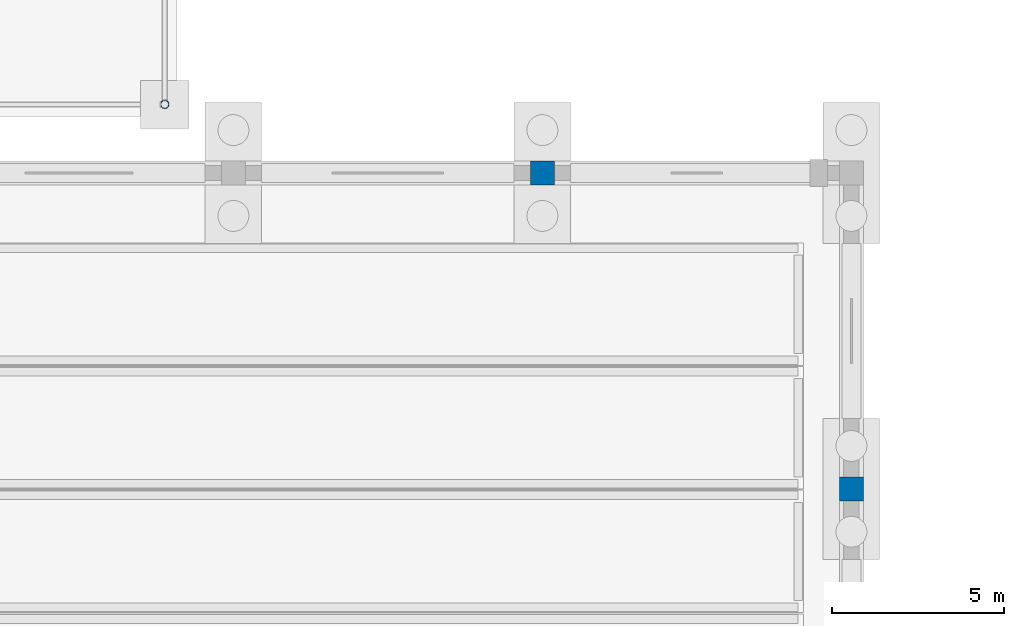
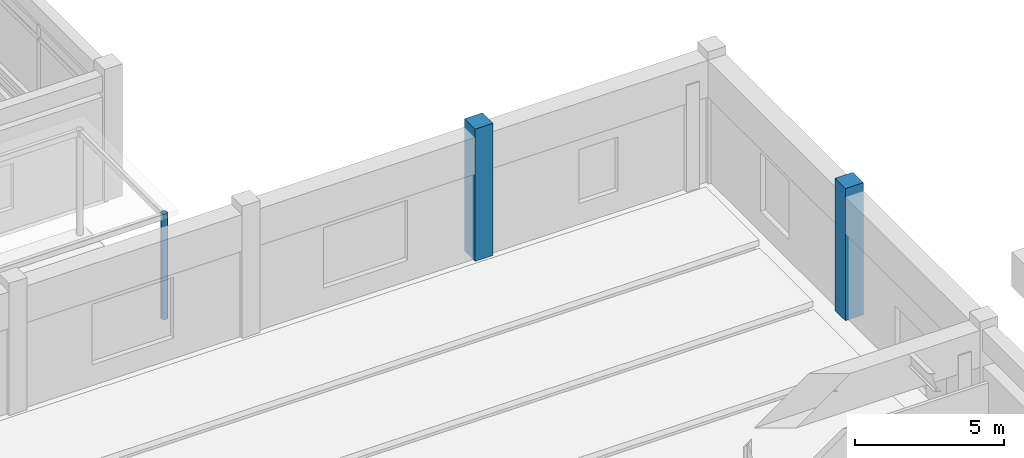
# One storey, part 9 of 76: 3 columns.
"""IFC4 building model written with IfcOpenShell, lengths in metres."""

from ifc_helpers import new_model, si_unit, direction, frame, origin, origin_2d, place, context, subcontext, project, spatial, rectangle, hollow_circle, extrude, material, material_profile, profile_set, type_object, element, save


model = new_model("IFC4")

# Units and contexts
model_context = context("Model", 3, precision=1e-05, world=origin(), true_north=direction((0.0, 1.0)))
body_context = subcontext(model_context, "Body", "Model", "MODEL_VIEW")
ifc_project = project(units=[si_unit("LENGTHUNIT", "METRE"), si_unit("AREAUNIT", "SQUARE_METRE"), si_unit("VOLUMEUNIT", "CUBIC_METRE"), si_unit("PLANEANGLEUNIT", "RADIAN"), si_unit("MASSUNIT", "GRAM", prefix="KILO")], contexts=[model_context])

# Site, building, storey
site_placement = place(None, origin())
site = spatial("IfcSite", under=ifc_project, at=site_placement, CompositionType="ELEMENT")
building_placement = place(site_placement, origin())
building = spatial("IfcBuilding", under=site, at=building_placement, Name="Bozkorgan Art Gallery", CompositionType="ELEMENT")
storey_placement = place(building_placement, origin())
storey = spatial("IfcBuildingStorey", under=building, at=storey_placement, Name="L00", CompositionType="ELEMENT", Elevation=0.0)

# Columns
ifc_material_1 = material(Name="Concrete C40/50", Category="concrete")
ifc_material_profile_1 = material_profile(ifc_material_1, rectangle(XDim=0.699951171875, YDim=0.699951171875, at=origin_2d()), Name="RC 700x700")
ifc_profile_set_1 = profile_set([ifc_material_profile_1], Name="Concrete C40/50")
column_type_1 = type_object("IfcColumnType", Name="COLUMN-C-73", PredefinedType="COLUMN", material=ifc_profile_set_1)
for number, where, z_axis, x_axis, name in (
    (1, (110.0, 29.199951171875, 0.0), (0.0, 0.0, 1.0), (1.0, 0.0, 0.0), "V3 L00 column (110.0, 29.2)"),
    (2, (119.0, 20.0, 0.0), (0.0, 0.0, 1.0), (1.0, 0.0, 0.0), "V3 L00 column (119.0, 20.0)"),
):
    element("IfcColumn", number, at=place(storey_placement, frame(where, z_axis=z_axis, x_axis=x_axis)), inside=storey, type_object=column_type_1, Name=name, PredefinedType="COLUMN", context=body_context, shape_type="SweptSolid", body=[
        extrude(rectangle(XDim=0.699951171875, YDim=0.699951171875, at=origin_2d()), origin(), (0.0, 0.0, 1.0), 5.39990234375),
    ])
ifc_material_2 = material(Name="Steel S355J2", Category="steel")
ifc_material_profile_2 = material_profile(ifc_material_2, hollow_circle(Radius=0.122314453125, WallThickness=0.010009765625, at=origin_2d()), Name="CHS 244.5x10")
ifc_profile_set_2 = profile_set([ifc_material_profile_2], Name="Steel S355J2")
column_type_2 = type_object("IfcColumnType", Name="COLUMN-WC-87", PredefinedType="COLUMN", material=ifc_profile_set_2)
column_placement = place(storey_placement, frame((99.0, 31.199951171875, 0.0), z_axis=(0.0, 0.0, 1.0), x_axis=(1.0, 0.0, 0.0)))
element("IfcColumn", 3, at=column_placement, inside=storey, type_object=column_type_2, Name="Auditorium Foyer Covered Walk column 2", PredefinedType="COLUMN", context=body_context, shape_type="SweptSolid", body=[
    extrude(hollow_circle(Radius=0.122314453125, WallThickness=0.010009765625, at=origin_2d()), origin(), (0.0, 0.0, 1.0), 4.300048828125),
])

save(model, "model.ifc")
